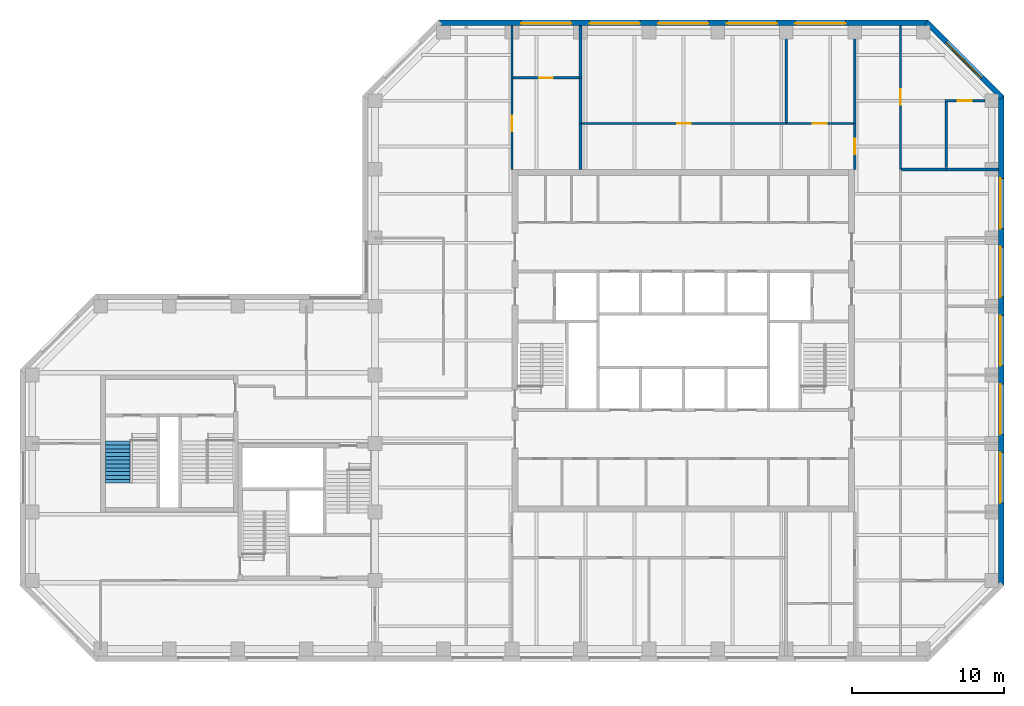
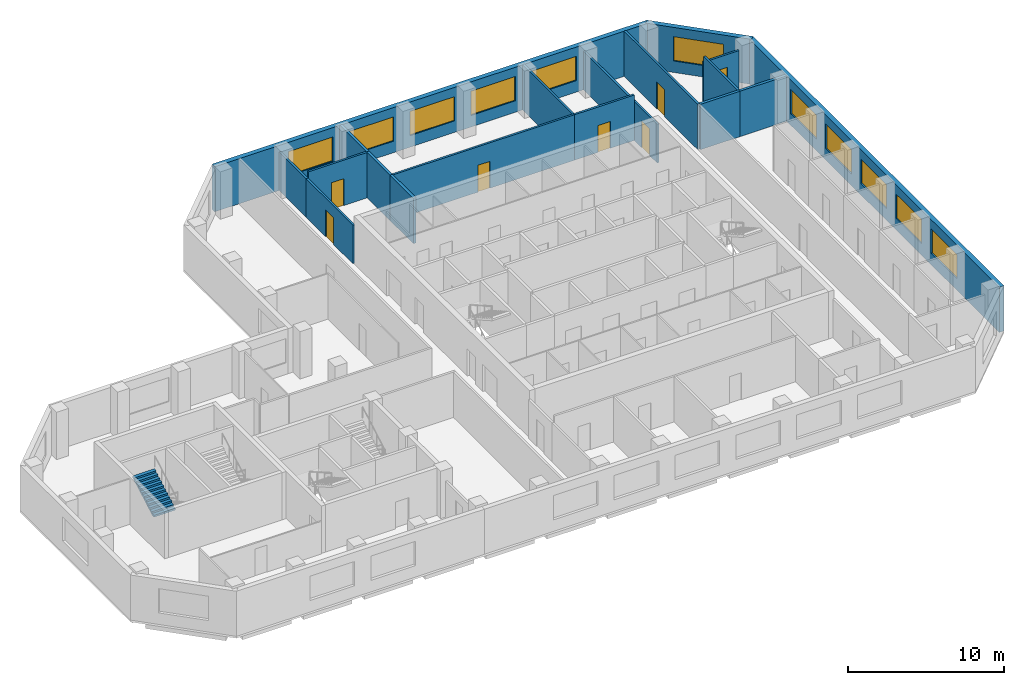
# One storey, part 7 of 9: 19 walls, 11 windows, 7 doors, 1 stair flight, 18 openings, 1 element without a shape of its own.
"""IFC4 building model written with IfcOpenShell, lengths in metres."""

from ifc_helpers import new_model, si_unit, direction, frame, frame_2d, origin, place, context, subcontext, project, spatial, polyline, rectangle, outline, extrude, material, layer, layer_set, constituent, constituent_set, type_object, element, fill, aggregate, save


model = new_model("IFC4")

# Units and contexts
model_context = context("Model", 3, precision=1e-05, world=origin(), true_north=direction((0.0, 1.0)))
body_context = subcontext(model_context, "Body", "Model", "MODEL_VIEW")
ifc_project = project(units=[si_unit("LENGTHUNIT", "METRE"), si_unit("AREAUNIT", "SQUARE_METRE"), si_unit("VOLUMEUNIT", "CUBIC_METRE"), si_unit("PLANEANGLEUNIT", "RADIAN"), si_unit("MASSUNIT", "GRAM", prefix="KILO")], contexts=[model_context])

# Site, building, storey
site_placement = place(None, origin())
site = spatial("IfcSite", under=ifc_project, at=site_placement, CompositionType="ELEMENT")
building_placement = place(site_placement, origin())
building = spatial("IfcBuilding", under=site, at=building_placement, Name="Quoin Convention Tower", CompositionType="ELEMENT")
storey_placement = place(building_placement, frame((0.0, 0.0, 181.0)))
storey = spatial("IfcBuildingStorey", under=building, at=storey_placement, Name="L47", CompositionType="ELEMENT", Elevation=181.0)

# Wall, opening, door
ifc_material_1 = material(Name="Plasterboard")
ifc_layer_1 = layer(ifc_material_1, 0.012451171875, Name="Finish")
ifc_material_2 = material(Name="Steel stud framing", Category="steel")
ifc_layer_2 = layer(ifc_material_2, 0.125, Name="Structure")
ifc_layer_3 = layer(ifc_material_1, 0.012451171875, Name="Finish")
ifc_layer_set_1 = layer_set([ifc_layer_1, ifc_layer_2, ifc_layer_3], Name="Steel stud framing")
wall_type_1 = type_object("IfcWallType", Name="Acoustic partition 150", PredefinedType="PARTITIONING", material=ifc_layer_set_1)
wall_1_placement = place(storey_placement, frame((49.60009765625, 75.0, 0.0), z_axis=(0.0, 0.0, 1.0), x_axis=(1.0, 0.0, 0.0)))
wall_1 = element("IfcWall", 1, at=wall_1_placement, inside=storey, type_object=wall_type_1, Name="pw-L47-021", PredefinedType="PARTITIONING", context=body_context, shape_type="SweptSolid", body=[
    extrude(rectangle(XDim=13.39990234375, YDim=0.14990234375, at=frame_2d((6.699951171875, 0.0))), origin(), (0.0, 0.0, 1.0), 3.550048828125),
])
opening_1_placement = place(wall_1_placement, frame((6.25, 0.0, 0.0)))
opening_1 = element("IfcOpeningElement", 2, at=opening_1_placement, cuts=wall_1, Name="Opening DOH5-06", PredefinedType="OPENING", context=body_context, shape_type="SweptSolid", body=[
    extrude(rectangle(XDim=0.89990234375, YDim=2.10009765625, at=frame_2d((0.449951171875, 1.050048828125))), frame((0.0, 0.0849609375, 0.0), z_axis=(0.0, -1.0, 0.0), x_axis=(1.0, 0.0, 0.0)), (0.0, 0.0, 1.0), 0.169921875),
])
ifc_material_3 = material(Name="Steel door leaf", Category="steel")
door_type_1 = type_object("IfcDoorType", Name="Office door 900 x 2100", OperationType="SINGLE_SWING_RIGHT", PredefinedType="DOOR", material=ifc_material_3)
door_1_placement = place(opening_1_placement, frame((0.89990234375, 0.0, 0.0), z_axis=(0.0, 0.0, 1.0), x_axis=(-1.0, 0.0, 0.0)))
door_1 = element("IfcDoor", 3, at=door_1_placement, inside=storey, type_object=door_type_1, Name="dr-L47-16", OperationType="SINGLE_SWING_LEFT", OverallHeight=2.10009765625, OverallWidth=0.89990234375, PredefinedType="DOOR", context=body_context, shape_type="SweptSolid", body=[
    extrude(rectangle(XDim=0.89990234375, YDim=2.10009765625, at=frame_2d((0.449951171875, 1.050048828125))), frame((0.0, 0.02490234375, 0.0), z_axis=(0.0, -1.0, 0.0), x_axis=(1.0, 0.0, 0.0)), (0.0, 0.0, 1.0), 0.050048828125),
])
fill(opening_1, door_1)

wall_2_placement = place(storey_placement, frame((63.0, 75.0, 0.0), z_axis=(0.0, 0.0, 1.0), x_axis=(1.0, 0.0, 0.0)))
wall_2 = element("IfcWall", 4, at=wall_2_placement, inside=storey, type_object=wall_type_1, Name="pw-L47-022", PredefinedType="PARTITIONING", context=body_context, shape_type="SweptSolid", body=[
    extrude(rectangle(XDim=4.425048828125, YDim=0.14990234375, at=frame_2d((2.21240234375, 0.0))), origin(), (0.0, 0.0, 1.0), 3.550048828125),
])
opening_2_placement = place(wall_2_placement, frame((1.75, 0.0, 0.0)))
opening_2 = element("IfcOpeningElement", 5, at=opening_2_placement, cuts=wall_2, Name="Opening DOH5-07", PredefinedType="OPENING", context=body_context, shape_type="SweptSolid", body=[
    extrude(rectangle(XDim=0.89990234375, YDim=2.10009765625, at=frame_2d((0.449951171875, 1.050048828125))), frame((0.0, 0.0849609375, 0.0), z_axis=(0.0, -1.0, 0.0), x_axis=(1.0, 0.0, 0.0)), (0.0, 0.0, 1.0), 0.169921875),
])
door_2_placement = place(opening_2_placement, origin())
door_2 = element("IfcDoor", 6, at=door_2_placement, inside=storey, type_object=door_type_1, Name="dr-L47-17", OperationType="SINGLE_SWING_LEFT", OverallHeight=2.10009765625, OverallWidth=0.89990234375, PredefinedType="DOOR", context=body_context, shape_type="SweptSolid", body=[
    extrude(rectangle(XDim=0.89990234375, YDim=2.10009765625, at=frame_2d((0.449951171875, 1.050048828125))), frame((0.0, 0.02490234375, 0.0), z_axis=(0.0, -1.0, 0.0), x_axis=(1.0, 0.0, 0.0)), (0.0, 0.0, 1.0), 0.050048828125),
])
fill(opening_2, door_2)

wall_3_placement = place(storey_placement, frame((45.074951171875, 78.0, 0.0), z_axis=(0.0, 0.0, 1.0), x_axis=(1.0, 0.0, 0.0)))
wall_3 = element("IfcWall", 7, at=wall_3_placement, inside=storey, type_object=wall_type_1, Name="pw-L47-024", PredefinedType="PARTITIONING", context=body_context, shape_type="SweptSolid", body=[
    extrude(rectangle(XDim=4.324951171875, YDim=0.14990234375, at=frame_2d((2.16259765625, 0.0))), origin(), (0.0, 0.0, 1.0), 3.550048828125),
])
opening_3_placement = place(wall_3_placement, frame((1.699951171875, 0.0, 0.0)))
opening_3 = element("IfcOpeningElement", 8, at=opening_3_placement, cuts=wall_3, Name="Opening DOH5-09", PredefinedType="OPENING", context=body_context, shape_type="SweptSolid", body=[
    extrude(rectangle(XDim=0.89990234375, YDim=2.10009765625, at=frame_2d((0.449951171875, 1.050048828125))), frame((0.0, 0.0849609375, 0.0), z_axis=(0.0, -1.0, 0.0), x_axis=(1.0, 0.0, 0.0)), (0.0, 0.0, 1.0), 0.169921875),
])
door_3_placement = place(opening_3_placement, origin())
door_3 = element("IfcDoor", 9, at=door_3_placement, inside=storey, type_object=door_type_1, Name="dr-L47-14", OperationType="SINGLE_SWING_RIGHT", OverallHeight=2.10009765625, OverallWidth=0.89990234375, PredefinedType="DOOR", context=body_context, shape_type="SweptSolid", body=[
    extrude(rectangle(XDim=0.89990234375, YDim=2.10009765625, at=frame_2d((0.449951171875, 1.050048828125))), frame((0.0, 0.02490234375, 0.0), z_axis=(0.0, -1.0, 0.0), x_axis=(1.0, 0.0, 0.0)), (0.0, 0.0, 1.0), 0.050048828125),
])
fill(opening_3, door_3)

# Walls
wall_4_placement = place(storey_placement, frame((73.5, 72.10009765625, 0.0), z_axis=(0.0, 0.0, 1.0), x_axis=(0.0, 1.0, 0.0)))
element("IfcWall", 10, at=wall_4_placement, inside=storey, type_object=wall_type_1, Name="pw-L47-054", PredefinedType="PARTITIONING", context=body_context, shape_type="SweptSolid", body=[
    extrude(rectangle(XDim=4.324951171875, YDim=0.14990234375, at=frame_2d((2.16259765625, 0.0))), origin(), (0.0, 0.0, 1.0), 3.550048828125),
])
wall_5_placement = place(storey_placement, frame((63.0, 75.074951171875, 0.0), z_axis=(0.0, 0.0, 1.0), x_axis=(0.0, 1.0, 0.0)))
element("IfcWall", 11, at=wall_5_placement, inside=storey, type_object=wall_type_1, Name="pw-L47-057", PredefinedType="PARTITIONING", context=body_context, shape_type="SweptSolid", body=[
    extrude(rectangle(XDim=6.375, YDim=0.14990234375, at=frame_2d((3.1875, 0.0))), origin(), (0.0, 0.0, 1.0), 3.550048828125),
])

# Wall, opening, door
ifc_layer_4 = layer(ifc_material_1, 0.012451171875, Name="Finish")
ifc_layer_5 = layer(ifc_material_2, 0.125, Name="Structure")
ifc_layer_6 = layer(ifc_material_1, 0.012451171875, Name="Finish")
ifc_layer_set_2 = layer_set([ifc_layer_4, ifc_layer_5, ifc_layer_6], Name="Steel stud framing")
wall_type_2 = type_object("IfcWallType", Name="Acoustic partition 150 under beam 454", PredefinedType="PARTITIONING", material=ifc_layer_set_2)
wall_6_placement = place(storey_placement, frame((73.425048828125, 76.5, 0.0), z_axis=(0.0, 0.0, 1.0), x_axis=(1.0, 0.0, 0.0)))
wall_6 = element("IfcWall", 12, at=wall_6_placement, inside=storey, type_object=wall_type_2, Name="pw-L47-023", PredefinedType="PARTITIONING", context=body_context, shape_type="SweptSolid", body=[
    extrude(rectangle(XDim=2.625, YDim=0.14990234375, at=frame_2d((1.3125, 0.0))), origin(), (0.0, 0.0, 1.0), 3.095947265625),
])
opening_4_placement = place(wall_6_placement, frame((0.85009765625, 0.0, 0.0)))
opening_4 = element("IfcOpeningElement", 13, at=opening_4_placement, cuts=wall_6, Name="Opening DOH5-08", PredefinedType="OPENING", context=body_context, shape_type="SweptSolid", body=[
    extrude(rectangle(XDim=0.89990234375, YDim=2.10009765625, at=frame_2d((0.449951171875, 1.050048828125))), frame((0.0, 0.0849609375, 0.0), z_axis=(0.0, -1.0, 0.0), x_axis=(1.0, 0.0, 0.0)), (0.0, 0.0, 1.0), 0.169921875),
])
door_4_placement = place(opening_4_placement, origin())
door_4 = element("IfcDoor", 14, at=door_4_placement, inside=storey, type_object=door_type_1, Name="dr-L47-26", OperationType="SINGLE_SWING_RIGHT", OverallHeight=2.10009765625, OverallWidth=0.89990234375, PredefinedType="DOOR", context=body_context, shape_type="SweptSolid", body=[
    extrude(rectangle(XDim=0.89990234375, YDim=2.10009765625, at=frame_2d((0.449951171875, 1.050048828125))), frame((0.0, 0.02490234375, 0.0), z_axis=(0.0, -1.0, 0.0), x_axis=(1.0, 0.0, 0.0)), (0.0, 0.0, 1.0), 0.050048828125),
])
fill(opening_4, door_4)

# Wall, openings, windows
ifc_material_4 = material(Name="Brick masonry", Category="masonry")
ifc_layer_7 = layer(ifc_material_4, 0.35009765625)
ifc_layer_set_3 = layer_set([ifc_layer_7], Name="Brick masonry")
wall_type_3 = type_object("IfcWallType", Name="Brick facade wall", PredefinedType="STANDARD", material=ifc_layer_set_3)
wall_7_placement = place(storey_placement, frame((77.125, 44.668701171875, 0.0), z_axis=(0.0, 0.0, 1.0), x_axis=(0.0, 1.0, 0.0)))
wall_7 = element("IfcWall", 15, at=wall_7_placement, inside=storey, type_object=wall_type_3, Name="fw-L47-76500_45000", PredefinedType="STANDARD", context=body_context, shape_type="SweptSolid", body=[
    extrude(rectangle(XDim=32.16259765625, YDim=0.35009765625, at=frame_2d((16.081298828125, 0.0))), origin(), (0.0, 0.0, 1.0), 3.52490234375),
])
opening_5_placement = place(wall_7_placement, frame((5.431396484375, 0.0, 0.89990234375)))
opening_5 = element("IfcOpeningElement", 16, at=opening_5_placement, cuts=wall_7, Name="Opening W-02", PredefinedType="OPENING", context=body_context, shape_type="SweptSolid", body=[
    extrude(rectangle(XDim=3.300048828125, YDim=1.89990234375, at=frame_2d((1.64990234375, 0.949951171875))), frame((0.0, 0.18505859375, 0.0), z_axis=(0.0, -1.0, 0.0), x_axis=(1.0, 0.0, 0.0)), (0.0, 0.0, 1.0), 0.3701171875),
])
opening_6_placement = place(wall_7_placement, frame((9.931396484375, 0.0, 0.89990234375)))
opening_6 = element("IfcOpeningElement", 17, at=opening_6_placement, cuts=wall_7, Name="Opening W-02", PredefinedType="OPENING", context=body_context, shape_type="SweptSolid", body=[
    extrude(rectangle(XDim=3.300048828125, YDim=1.89990234375, at=frame_2d((1.64990234375, 0.949951171875))), frame((0.0, 0.18505859375, 0.0), z_axis=(0.0, -1.0, 0.0), x_axis=(1.0, 0.0, 0.0)), (0.0, 0.0, 1.0), 0.3701171875),
])
opening_7_placement = place(wall_7_placement, frame((14.431396484375, 0.0, 0.89990234375)))
opening_7 = element("IfcOpeningElement", 18, at=opening_7_placement, cuts=wall_7, Name="Opening W-02", PredefinedType="OPENING", context=body_context, shape_type="SweptSolid", body=[
    extrude(rectangle(XDim=3.300048828125, YDim=1.89990234375, at=frame_2d((1.64990234375, 0.949951171875))), frame((0.0, 0.18505859375, 0.0), z_axis=(0.0, -1.0, 0.0), x_axis=(1.0, 0.0, 0.0)), (0.0, 0.0, 1.0), 0.3701171875),
])
opening_8_placement = place(wall_7_placement, frame((18.931396484375, 0.0, 0.89990234375)))
opening_8 = element("IfcOpeningElement", 19, at=opening_8_placement, cuts=wall_7, Name="Opening W-02", PredefinedType="OPENING", context=body_context, shape_type="SweptSolid", body=[
    extrude(rectangle(XDim=3.300048828125, YDim=1.89990234375, at=frame_2d((1.64990234375, 0.949951171875))), frame((0.0, 0.18505859375, 0.0), z_axis=(0.0, -1.0, 0.0), x_axis=(1.0, 0.0, 0.0)), (0.0, 0.0, 1.0), 0.3701171875),
])
opening_9_placement = place(wall_7_placement, frame((23.431396484375, 0.0, 0.89990234375)))
opening_9 = element("IfcOpeningElement", 20, at=opening_9_placement, cuts=wall_7, Name="Opening W-02", PredefinedType="OPENING", context=body_context, shape_type="SweptSolid", body=[
    extrude(rectangle(XDim=3.300048828125, YDim=1.89990234375, at=frame_2d((1.64990234375, 0.949951171875))), frame((0.0, 0.18505859375, 0.0), z_axis=(0.0, -1.0, 0.0), x_axis=(1.0, 0.0, 0.0)), (0.0, 0.0, 1.0), 0.3701171875),
])
ifc_material_5 = material(Name="Aluminium", Category="aluminium")
ifc_constituent_1 = constituent(ifc_material_5, Name="Frame")
ifc_material_6 = material(Name="Insulated glass", Category="glass")
ifc_constituent_2 = constituent(ifc_material_6, Name="Glazing")
ifc_constituent_set = constituent_set(constituents=[ifc_constituent_1, ifc_constituent_2], Name="Aluminium")
window_type = type_object("IfcWindowType", Name="Office window", PartitioningType="DOUBLE_PANEL_VERTICAL", PredefinedType="WINDOW", material=ifc_constituent_set)
window_1_placement = place(opening_5_placement, origin())
window_1 = element("IfcWindow", 21, at=window_1_placement, inside=storey, type_object=window_type, Name="win-L47-77125_51750", OverallHeight=1.89990234375, OverallWidth=3.300048828125, PartitioningType="SINGLE_PANEL", PredefinedType="WINDOW", context=body_context, shape_type="SweptSolid", body=[
    extrude(rectangle(XDim=3.300048828125, YDim=1.89990234375, at=frame_2d((1.64990234375, 0.949951171875))), frame((0.0, 0.0849609375, 0.0), z_axis=(0.0, -1.0, 0.0), x_axis=(1.0, 0.0, 0.0)), (0.0, 0.0, 1.0), 0.06005859375),
])
fill(opening_5, window_1)
window_2_placement = place(opening_6_placement, origin())
window_2 = element("IfcWindow", 22, at=window_2_placement, inside=storey, type_object=window_type, Name="win-L47-77125_56250", OverallHeight=1.89990234375, OverallWidth=3.300048828125, PartitioningType="SINGLE_PANEL", PredefinedType="WINDOW", context=body_context, shape_type="SweptSolid", body=[
    extrude(rectangle(XDim=3.300048828125, YDim=1.89990234375, at=frame_2d((1.64990234375, 0.949951171875))), frame((0.0, 0.0849609375, 0.0), z_axis=(0.0, -1.0, 0.0), x_axis=(1.0, 0.0, 0.0)), (0.0, 0.0, 1.0), 0.06005859375),
])
fill(opening_6, window_2)
window_3_placement = place(opening_7_placement, origin())
window_3 = element("IfcWindow", 23, at=window_3_placement, inside=storey, type_object=window_type, Name="win-L47-77125_60750", OverallHeight=1.89990234375, OverallWidth=3.300048828125, PartitioningType="SINGLE_PANEL", PredefinedType="WINDOW", context=body_context, shape_type="SweptSolid", body=[
    extrude(rectangle(XDim=3.300048828125, YDim=1.89990234375, at=frame_2d((1.64990234375, 0.949951171875))), frame((0.0, 0.0849609375, 0.0), z_axis=(0.0, -1.0, 0.0), x_axis=(1.0, 0.0, 0.0)), (0.0, 0.0, 1.0), 0.06005859375),
])
fill(opening_7, window_3)
window_4_placement = place(opening_8_placement, origin())
window_4 = element("IfcWindow", 24, at=window_4_placement, inside=storey, type_object=window_type, Name="win-L47-77125_65250", OverallHeight=1.89990234375, OverallWidth=3.300048828125, PartitioningType="SINGLE_PANEL", PredefinedType="WINDOW", context=body_context, shape_type="SweptSolid", body=[
    extrude(rectangle(XDim=3.300048828125, YDim=1.89990234375, at=frame_2d((1.64990234375, 0.949951171875))), frame((0.0, 0.0849609375, 0.0), z_axis=(0.0, -1.0, 0.0), x_axis=(1.0, 0.0, 0.0)), (0.0, 0.0, 1.0), 0.06005859375),
])
fill(opening_8, window_4)
window_5_placement = place(opening_9_placement, origin())
window_5 = element("IfcWindow", 25, at=window_5_placement, inside=storey, type_object=window_type, Name="win-L47-77125_69750", OverallHeight=1.89990234375, OverallWidth=3.300048828125, PartitioningType="SINGLE_PANEL", PredefinedType="WINDOW", context=body_context, shape_type="SweptSolid", body=[
    extrude(rectangle(XDim=3.300048828125, YDim=1.89990234375, at=frame_2d((1.64990234375, 0.949951171875))), frame((0.0, 0.0849609375, 0.0), z_axis=(0.0, -1.0, 0.0), x_axis=(1.0, 0.0, 0.0)), (0.0, 0.0, 1.0), 0.06005859375),
])
fill(opening_9, window_5)

# Wall, opening, window
wall_8_placement = place(storey_placement, frame((77.17626953125, 76.70751953125, 0.0), z_axis=(0.0, 0.0, 1.0), x_axis=(-0.707106781187, 0.707106781187, 0.0)))
wall_8 = element("IfcWall", 26, at=wall_8_placement, inside=storey, type_object=wall_type_3, Name="fw-L47-76500_76500", PredefinedType="STANDARD", context=body_context, shape_type="SweptSolid", body=[
    extrude(rectangle(XDim=7.02685546875, YDim=0.35009765625, at=frame_2d((3.513427734375, 0.0))), origin(), (0.0, 0.0, 1.0), 3.52490234375),
])
opening_10_placement = place(wall_8_placement, frame((1.86328125, 0.0, 0.89990234375)))
opening_10 = element("IfcOpeningElement", 27, at=opening_10_placement, cuts=wall_8, Name="Opening W-02", PredefinedType="OPENING", context=body_context, shape_type="SweptSolid", body=[
    extrude(rectangle(XDim=3.300048828125, YDim=1.89990234375, at=frame_2d((1.64990234375, 0.949951171875))), frame((0.0, 0.18505859375, 0.0), z_axis=(0.0, -1.0, 0.0), x_axis=(1.0, 0.0, 0.0)), (0.0, 0.0, 1.0), 0.3701171875),
])
window_6_placement = place(opening_10_placement, origin())
window_6 = element("IfcWindow", 28, at=window_6_placement, inside=storey, type_object=window_type, Name="win-L47-74692_79192", OverallHeight=1.89990234375, OverallWidth=3.300048828125, PartitioningType="SINGLE_PANEL", PredefinedType="WINDOW", context=body_context, shape_type="SweptSolid", body=[
    extrude(rectangle(XDim=3.300048828125, YDim=1.89990234375, at=frame_2d((1.64990234375, 0.949951171875))), frame((0.0, 0.0849609375, 0.0), z_axis=(0.0, -1.0, 0.0), x_axis=(1.0, 0.0, 0.0)), (0.0, 0.0, 1.0), 0.06005859375),
])
fill(opening_10, window_6)

# Wall, openings, windows
wall_9_placement = place(storey_placement, frame((72.331298828125, 81.625, 0.0), z_axis=(0.0, 0.0, 1.0), x_axis=(-1.0, 0.0, 0.0)))
wall_9 = element("IfcWall", 29, at=wall_9_placement, inside=storey, type_object=wall_type_3, Name="fw-L47-72000_81000", PredefinedType="STANDARD", context=body_context, shape_type="SweptSolid", body=[
    extrude(rectangle(XDim=32.16259765625, YDim=0.35009765625, at=frame_2d((16.081298828125, 0.0))), origin(), (0.0, 0.0, 1.0), 3.52490234375),
])
opening_11_placement = place(wall_9_placement, frame((5.431396484375, 0.0, 0.89990234375)))
opening_11 = element("IfcOpeningElement", 30, at=opening_11_placement, cuts=wall_9, Name="Opening W-02", PredefinedType="OPENING", context=body_context, shape_type="SweptSolid", body=[
    extrude(rectangle(XDim=3.300048828125, YDim=1.89990234375, at=frame_2d((1.64990234375, 0.949951171875))), frame((0.0, 0.18505859375, 0.0), z_axis=(0.0, -1.0, 0.0), x_axis=(1.0, 0.0, 0.0)), (0.0, 0.0, 1.0), 0.3701171875),
])
opening_12_placement = place(wall_9_placement, frame((9.931396484375, 0.0, 0.89990234375)))
opening_12 = element("IfcOpeningElement", 31, at=opening_12_placement, cuts=wall_9, Name="Opening W-02", PredefinedType="OPENING", context=body_context, shape_type="SweptSolid", body=[
    extrude(rectangle(XDim=3.300048828125, YDim=1.89990234375, at=frame_2d((1.64990234375, 0.949951171875))), frame((0.0, 0.18505859375, 0.0), z_axis=(0.0, -1.0, 0.0), x_axis=(1.0, 0.0, 0.0)), (0.0, 0.0, 1.0), 0.3701171875),
])
opening_13_placement = place(wall_9_placement, frame((14.431396484375, 0.0, 0.89990234375)))
opening_13 = element("IfcOpeningElement", 32, at=opening_13_placement, cuts=wall_9, Name="Opening W-02", PredefinedType="OPENING", context=body_context, shape_type="SweptSolid", body=[
    extrude(rectangle(XDim=3.300048828125, YDim=1.89990234375, at=frame_2d((1.64990234375, 0.949951171875))), frame((0.0, 0.18505859375, 0.0), z_axis=(0.0, -1.0, 0.0), x_axis=(1.0, 0.0, 0.0)), (0.0, 0.0, 1.0), 0.3701171875),
])
opening_14_placement = place(wall_9_placement, frame((18.931396484375, 0.0, 0.89990234375)))
opening_14 = element("IfcOpeningElement", 33, at=opening_14_placement, cuts=wall_9, Name="Opening W-02", PredefinedType="OPENING", context=body_context, shape_type="SweptSolid", body=[
    extrude(rectangle(XDim=3.300048828125, YDim=1.89990234375, at=frame_2d((1.64990234375, 0.949951171875))), frame((0.0, 0.18505859375, 0.0), z_axis=(0.0, -1.0, 0.0), x_axis=(1.0, 0.0, 0.0)), (0.0, 0.0, 1.0), 0.3701171875),
])
opening_15_placement = place(wall_9_placement, frame((23.431396484375, 0.0, 0.89990234375)))
opening_15 = element("IfcOpeningElement", 34, at=opening_15_placement, cuts=wall_9, Name="Opening W-02", PredefinedType="OPENING", context=body_context, shape_type="SweptSolid", body=[
    extrude(rectangle(XDim=3.300048828125, YDim=1.89990234375, at=frame_2d((1.64990234375, 0.949951171875))), frame((0.0, 0.18505859375, 0.0), z_axis=(0.0, -1.0, 0.0), x_axis=(1.0, 0.0, 0.0)), (0.0, 0.0, 1.0), 0.3701171875),
])
window_7_placement = place(opening_11_placement, origin())
window_7 = element("IfcWindow", 35, at=window_7_placement, inside=storey, type_object=window_type, Name="win-L47-65250_81625", OverallHeight=1.89990234375, OverallWidth=3.300048828125, PartitioningType="SINGLE_PANEL", PredefinedType="WINDOW", context=body_context, shape_type="SweptSolid", body=[
    extrude(rectangle(XDim=3.300048828125, YDim=1.89990234375, at=frame_2d((1.64990234375, 0.949951171875))), frame((0.0, 0.0849609375, 0.0), z_axis=(0.0, -1.0, 0.0), x_axis=(1.0, 0.0, 0.0)), (0.0, 0.0, 1.0), 0.06005859375),
])
fill(opening_11, window_7)
window_8_placement = place(opening_12_placement, origin())
window_8 = element("IfcWindow", 36, at=window_8_placement, inside=storey, type_object=window_type, Name="win-L47-60750_81625", OverallHeight=1.89990234375, OverallWidth=3.300048828125, PartitioningType="SINGLE_PANEL", PredefinedType="WINDOW", context=body_context, shape_type="SweptSolid", body=[
    extrude(rectangle(XDim=3.300048828125, YDim=1.89990234375, at=frame_2d((1.64990234375, 0.949951171875))), frame((0.0, 0.0849609375, 0.0), z_axis=(0.0, -1.0, 0.0), x_axis=(1.0, 0.0, 0.0)), (0.0, 0.0, 1.0), 0.06005859375),
])
fill(opening_12, window_8)
window_9_placement = place(opening_13_placement, origin())
window_9 = element("IfcWindow", 37, at=window_9_placement, inside=storey, type_object=window_type, Name="win-L47-56250_81625", OverallHeight=1.89990234375, OverallWidth=3.300048828125, PartitioningType="SINGLE_PANEL", PredefinedType="WINDOW", context=body_context, shape_type="SweptSolid", body=[
    extrude(rectangle(XDim=3.300048828125, YDim=1.89990234375, at=frame_2d((1.64990234375, 0.949951171875))), frame((0.0, 0.0849609375, 0.0), z_axis=(0.0, -1.0, 0.0), x_axis=(1.0, 0.0, 0.0)), (0.0, 0.0, 1.0), 0.06005859375),
])
fill(opening_13, window_9)
window_10_placement = place(opening_14_placement, origin())
window_10 = element("IfcWindow", 38, at=window_10_placement, inside=storey, type_object=window_type, Name="win-L47-51750_81625", OverallHeight=1.89990234375, OverallWidth=3.300048828125, PartitioningType="SINGLE_PANEL", PredefinedType="WINDOW", context=body_context, shape_type="SweptSolid", body=[
    extrude(rectangle(XDim=3.300048828125, YDim=1.89990234375, at=frame_2d((1.64990234375, 0.949951171875))), frame((0.0, 0.0849609375, 0.0), z_axis=(0.0, -1.0, 0.0), x_axis=(1.0, 0.0, 0.0)), (0.0, 0.0, 1.0), 0.06005859375),
])
fill(opening_14, window_10)
window_11_placement = place(opening_15_placement, origin())
window_11 = element("IfcWindow", 39, at=window_11_placement, inside=storey, type_object=window_type, Name="win-L47-47250_81625", OverallHeight=1.89990234375, OverallWidth=3.300048828125, PartitioningType="SINGLE_PANEL", PredefinedType="WINDOW", context=body_context, shape_type="SweptSolid", body=[
    extrude(rectangle(XDim=3.300048828125, YDim=1.89990234375, at=frame_2d((1.64990234375, 0.949951171875))), frame((0.0, 0.0849609375, 0.0), z_axis=(0.0, -1.0, 0.0), x_axis=(1.0, 0.0, 0.0)), (0.0, 0.0, 1.0), 0.06005859375),
])
fill(opening_15, window_11)

# Wall, opening, door
ifc_layer_8 = layer(ifc_material_1, 0.012451171875, Name="Finish")
ifc_layer_9 = layer(ifc_material_2, 0.125, Name="Structure")
ifc_layer_10 = layer(ifc_material_1, 0.012451171875, Name="Finish")
ifc_layer_set_4 = layer_set([ifc_layer_8, ifc_layer_9, ifc_layer_10], Name="Steel stud framing")
wall_type_4 = type_object("IfcWallType", Name="Corridor wall 150", PredefinedType="PARTITIONING", material=ifc_layer_set_4)
wall_10_placement = place(storey_placement, frame((70.5, 72.0, 0.0), z_axis=(0.0, 0.0, 1.0), x_axis=(0.0, 1.0, 0.0)))
wall_10 = element("IfcWall", 40, at=wall_10_placement, inside=storey, type_object=wall_type_4, Name="pw-L47-053", PredefinedType="PARTITIONING", context=body_context, shape_type="SweptSolid", body=[
    extrude(rectangle(XDim=9.449951171875, YDim=0.14990234375, at=frame_2d((4.72509765625, 0.0))), origin(), (0.0, 0.0, 1.0), 3.550048828125),
])
opening_16_placement = place(wall_10_placement, frame((4.25, 0.0, 0.0)))
opening_16 = element("IfcOpeningElement", 41, at=opening_16_placement, cuts=wall_10, Name="Opening DOH5-22", PredefinedType="OPENING", context=body_context, shape_type="SweptSolid", body=[
    extrude(rectangle(XDim=1.0, YDim=2.10009765625, at=frame_2d((0.5, 1.050048828125))), frame((0.0, 0.0849609375, 0.0), z_axis=(0.0, -1.0, 0.0), x_axis=(1.0, 0.0, 0.0)), (0.0, 0.0, 1.0), 0.169921875),
])
door_type_2 = type_object("IfcDoorType", Name="Tenancy entrance door 1000 x 2100", OperationType="DOUBLE_DOOR_SINGLE_SWING", PredefinedType="DOOR", material=ifc_material_3)
door_5_placement = place(opening_16_placement, frame((1.0, 0.0, 0.0), z_axis=(0.0, 0.0, 1.0), x_axis=(-1.0, 0.0, 0.0)))
door_5 = element("IfcDoor", 42, at=door_5_placement, inside=storey, type_object=door_type_2, Name="dr-L47-25", OperationType="DOUBLE_DOOR_SINGLE_SWING", OverallHeight=2.10009765625, OverallWidth=1.0, PredefinedType="DOOR", context=body_context, shape_type="SweptSolid", body=[
    extrude(rectangle(XDim=1.0, YDim=2.10009765625, at=frame_2d((0.5, 1.050048828125))), frame((0.0, 0.02490234375, 0.0), z_axis=(0.0, -1.0, 0.0), x_axis=(1.0, 0.0, 0.0)), (0.0, 0.0, 1.0), 0.050048828125),
])
fill(opening_16, door_5)

ifc_layer_11 = layer(ifc_material_1, 0.012451171875, Name="Finish")
ifc_layer_12 = layer(ifc_material_2, 0.125, Name="Structure")
ifc_layer_13 = layer(ifc_material_1, 0.012451171875, Name="Finish")
ifc_layer_set_5 = layer_set([ifc_layer_11, ifc_layer_12, ifc_layer_13], Name="Steel stud framing")
wall_type_5 = type_object("IfcWallType", Name="Corridor wall 150 under beam 528", PredefinedType="PARTITIONING", material=ifc_layer_set_5)
wall_11_placement = place(storey_placement, frame((45.0, 72.0, 0.0), z_axis=(0.0, 0.0, 1.0), x_axis=(0.0, 1.0, 0.0)))
wall_11 = element("IfcWall", 43, at=wall_11_placement, inside=storey, type_object=wall_type_5, Name="pw-L47-050", PredefinedType="PARTITIONING", context=body_context, shape_type="SweptSolid", body=[
    extrude(rectangle(XDim=6.0, YDim=0.14990234375, at=frame_2d((3.0, 0.0))), origin(), (0.0, 0.0, 1.0), 3.02197265625),
])
opening_17_placement = place(wall_11_placement, frame((2.5, 0.0, 0.0)))
opening_17 = element("IfcOpeningElement", 44, at=opening_17_placement, cuts=wall_11, Name="Opening DOH5-20", PredefinedType="OPENING", context=body_context, shape_type="SweptSolid", body=[
    extrude(rectangle(XDim=1.0, YDim=2.10009765625, at=frame_2d((0.5, 1.050048828125))), frame((0.0, 0.0849609375, 0.0), z_axis=(0.0, -1.0, 0.0), x_axis=(1.0, 0.0, 0.0)), (0.0, 0.0, 1.0), 0.169921875),
])
door_6_placement = place(opening_17_placement, origin())
door_6 = element("IfcDoor", 45, at=door_6_placement, inside=storey, type_object=door_type_2, Name="dr-L47-13", OperationType="DOUBLE_DOOR_SINGLE_SWING", OverallHeight=2.10009765625, OverallWidth=1.0, PredefinedType="DOOR", context=body_context, shape_type="SweptSolid", body=[
    extrude(rectangle(XDim=1.0, YDim=2.10009765625, at=frame_2d((0.5, 1.050048828125))), frame((0.0, 0.02490234375, 0.0), z_axis=(0.0, -1.0, 0.0), x_axis=(1.0, 0.0, 0.0)), (0.0, 0.0, 1.0), 0.050048828125),
])
fill(opening_17, door_6)

wall_12_placement = place(storey_placement, frame((67.5, 72.0, 0.0), z_axis=(0.0, 0.0, 1.0), x_axis=(0.0, 1.0, 0.0)))
wall_12 = element("IfcWall", 46, at=wall_12_placement, inside=storey, type_object=wall_type_5, Name="pw-L47-052", PredefinedType="PARTITIONING", context=body_context, shape_type="SweptSolid", body=[
    extrude(rectangle(XDim=3.0, YDim=0.14990234375, at=frame_2d((1.5, 0.0))), origin(), (0.0, 0.0, 1.0), 3.02197265625),
])
opening_18_placement = place(wall_12_placement, frame((1.0, 0.0, 0.0)))
opening_18 = element("IfcOpeningElement", 47, at=opening_18_placement, cuts=wall_12, Name="Opening DOH5-21", PredefinedType="OPENING", context=body_context, shape_type="SweptSolid", body=[
    extrude(rectangle(XDim=1.0, YDim=2.10009765625, at=frame_2d((0.5, 1.050048828125))), frame((0.0, 0.0849609375, 0.0), z_axis=(0.0, -1.0, 0.0), x_axis=(1.0, 0.0, 0.0)), (0.0, 0.0, 1.0), 0.169921875),
])
door_7_placement = place(opening_18_placement, frame((1.0, 0.0, 0.0), z_axis=(0.0, 0.0, 1.0), x_axis=(-1.0, 0.0, 0.0)))
door_7 = element("IfcDoor", 48, at=door_7_placement, inside=storey, type_object=door_type_2, Name="dr-L47-15", OperationType="DOUBLE_DOOR_SINGLE_SWING", OverallHeight=2.10009765625, OverallWidth=1.0, PredefinedType="DOOR", context=body_context, shape_type="SweptSolid", body=[
    extrude(rectangle(XDim=1.0, YDim=2.10009765625, at=frame_2d((0.5, 1.050048828125))), frame((0.0, 0.02490234375, 0.0), z_axis=(0.0, -1.0, 0.0), x_axis=(1.0, 0.0, 0.0)), (0.0, 0.0, 1.0), 0.050048828125),
])
fill(opening_18, door_7)

# Walls
wall_13_placement = place(storey_placement, frame((67.5, 75.0, 0.0), z_axis=(0.0, 0.0, 1.0), x_axis=(0.0, 1.0, 0.0)))
element("IfcWall", 49, at=wall_13_placement, inside=storey, type_object=wall_type_5, Name="pw-L47-056", PredefinedType="PARTITIONING", context=body_context, shape_type="SweptSolid", body=[
    extrude(rectangle(XDim=6.449951171875, YDim=0.14990234375, at=frame_2d((3.22509765625, 0.0))), origin(), (0.0, 0.0, 1.0), 3.02197265625),
])
wall_14_placement = place(storey_placement, frame((45.0, 78.0, 0.0), z_axis=(0.0, 0.0, 1.0), x_axis=(0.0, 1.0, 0.0)))
element("IfcWall", 50, at=wall_14_placement, inside=storey, type_object=wall_type_5, Name="pw-L47-058", PredefinedType="PARTITIONING", context=body_context, shape_type="SweptSolid", body=[
    extrude(rectangle(XDim=3.449951171875, YDim=0.14990234375, at=frame_2d((1.72509765625, 0.0))), origin(), (0.0, 0.0, 1.0), 3.02197265625),
])
ifc_layer_14 = layer(ifc_material_1, 0.012451171875, Name="Finish")
ifc_layer_15 = layer(ifc_material_2, 0.175048828125, Name="Structure")
ifc_layer_16 = layer(ifc_material_1, 0.012451171875, Name="Finish")
ifc_layer_set_6 = layer_set([ifc_layer_14, ifc_layer_15, ifc_layer_16], Name="Steel stud framing")
wall_type_6 = type_object("IfcWallType", Name="Tenancy demising wall 200", PredefinedType="PARTITIONING", material=ifc_layer_set_6)
wall_15_placement = place(storey_placement, frame((70.574951171875, 72.0, 0.0), z_axis=(0.0, 0.0, 1.0), x_axis=(1.0, 0.0, 0.0)))
element("IfcWall", 51, at=wall_15_placement, inside=storey, type_object=wall_type_6, Name="pw-L47-019", PredefinedType="PARTITIONING", context=body_context, shape_type="SweptSolid", body=[
    extrude(rectangle(XDim=2.925048828125, YDim=0.199951171875, at=frame_2d((1.46240234375, 0.0))), origin(), (0.0, 0.0, 1.0), 3.550048828125),
])
wall_16_placement = place(storey_placement, frame((73.5, 72.0, 0.0), z_axis=(0.0, 0.0, 1.0), x_axis=(1.0, 0.0, 0.0)))
element("IfcWall", 52, at=wall_16_placement, inside=storey, type_object=wall_type_6, Name="pw-L47-020", PredefinedType="PARTITIONING", context=body_context, shape_type="SweptSolid", body=[
    extrude(rectangle(XDim=3.449951171875, YDim=0.199951171875, at=frame_2d((1.72509765625, 0.0))), origin(), (0.0, 0.0, 1.0), 3.550048828125),
])
for number, where, z_axis, x_axis, name in (
    (53, (49.5, 72.0, 0.0), (0.0, 0.0, 1.0), (0.0, 1.0, 0.0), "pw-L47-051"),
    (54, (49.5, 75.0, 0.0), (0.0, 0.0, 1.0), (0.0, 1.0, 0.0), "pw-L47-055"),
):
    element("IfcWall", number, at=place(storey_placement, frame(where, z_axis=z_axis, x_axis=x_axis)), inside=storey, type_object=wall_type_6, Name=name, PredefinedType="PARTITIONING", context=body_context, shape_type="SweptSolid", body=[
        extrude(rectangle(XDim=3.0, YDim=0.199951171875, at=frame_2d((1.5, 0.0))), origin(), (0.0, 0.0, 1.0), 3.550048828125),
    ])
wall_17_placement = place(storey_placement, frame((49.5, 78.0, 0.0), z_axis=(0.0, 0.0, 1.0), x_axis=(0.0, 1.0, 0.0)))
element("IfcWall", 55, at=wall_17_placement, inside=storey, type_object=wall_type_6, Name="pw-L47-059", PredefinedType="PARTITIONING", context=body_context, shape_type="SweptSolid", body=[
    extrude(rectangle(XDim=3.449951171875, YDim=0.199951171875, at=frame_2d((1.72509765625, 0.0))), origin(), (0.0, 0.0, 1.0), 3.550048828125),
])

# Stair, stair flight
ifc_material_7 = material(Name="Concrete C40", Category="concrete")
stair_type = type_object("IfcStairType", Name="Exit stair two-flight 1600", PredefinedType="HALF_TURN_STAIR", material=ifc_material_7)
stair_placement = place(storey_placement, origin())
stair = element("IfcStair", 56, at=stair_placement, inside=storey, type_object=stair_type, Name="SD11 L47", PredefinedType="HALF_TURN_STAIR")
stair_flight_type = type_object("IfcStairFlightType", Name="Stair flight 1600", PredefinedType="STRAIGHT", material=ifc_material_7)
stair_flight_placement = place(storey_placement, frame((19.125, 51.39990234375, 1.9921875), z_axis=(0.0, 0.0, 1.0), x_axis=(0.0, 1.0, 0.0)))
stair_flight = element("IfcStairFlight", 57, at=stair_flight_placement, type_object=stair_flight_type, Name="ST11 flight 2", NumberOfRisers=12, NumberOfTreads=11, PredefinedType="STRAIGHT", RiserHeight=0.142307692, TreadLength=0.25, context=body_context, shape_type="SweptSolid", body=[
    extrude(outline(polyline([(0.0, 0.0), (0.0, 0.142333984375), (0.25, 0.142333984375), (0.25, 0.28466796875), (0.5, 0.28466796875), (0.5, 0.427001953125), (0.75, 0.427001953125), (0.75, 0.5693359375), (1.0, 0.5693359375), (1.0, 0.71142578125), (1.25, 0.71142578125), (1.25, 0.853759765625), (1.5, 0.853759765625), (1.5, 0.99609375), (1.75, 0.99609375), (1.75, 1.138427734375), (2.0, 1.138427734375), (2.0, 1.28076171875), (2.25, 1.28076171875), (2.25, 1.423095703125), (2.5, 1.423095703125), (2.5, 1.5654296875), (2.75, 1.5654296875), (2.75, 1.707763671875), (2.75, 1.42724609375), (0.242919921875, 0.0), (0.0, 0.0)])), frame((0.0, 0.800048828125, 0.0), z_axis=(0.0, -1.0, 0.0), x_axis=(1.0, 0.0, 0.0)), (0.0, 0.0, 1.0), 1.60009765625),
])
aggregate(stair, [stair_flight])

save(model, "model.ifc")
